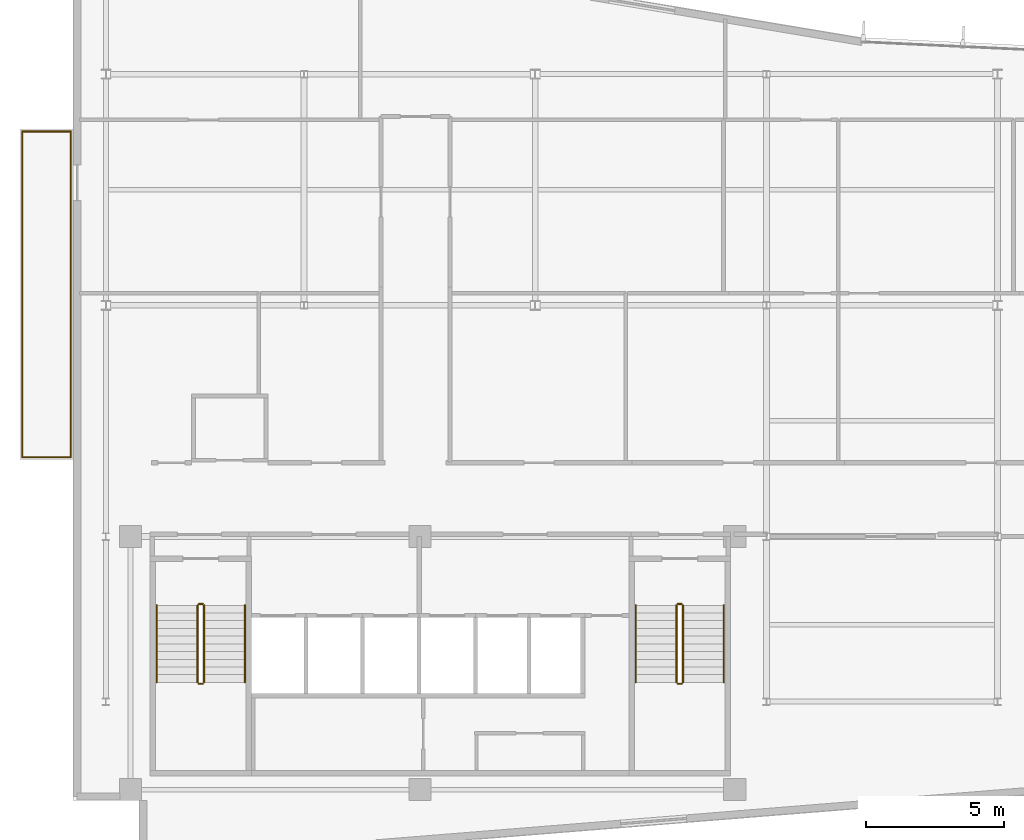
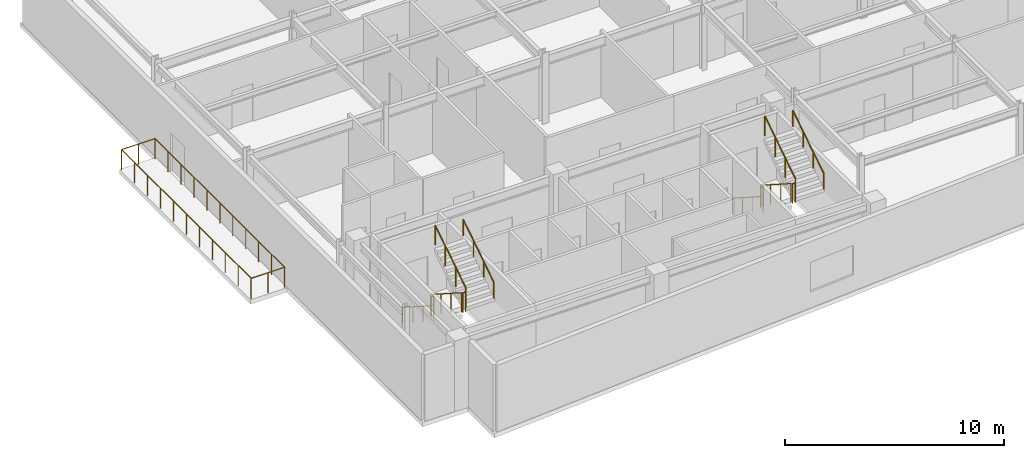
# One storey, part 14 of 16: 16 railings.
"""IFC4 building model written with IfcOpenShell, lengths in metres."""

from ifc_helpers import new_model, si_unit, direction, frame, origin, origin_2d, place, context, subcontext, project, spatial, circle, extrude, material, type_object, element, save


model = new_model("IFC4")

# Units and contexts
model_context = context("Model", 3, precision=1e-05, world=origin(), true_north=direction((0.0, 1.0)))
body_context = subcontext(model_context, "Body", "Model", "MODEL_VIEW")
ifc_project = project(units=[si_unit("LENGTHUNIT", "METRE"), si_unit("AREAUNIT", "SQUARE_METRE"), si_unit("VOLUMEUNIT", "CUBIC_METRE"), si_unit("PLANEANGLEUNIT", "RADIAN"), si_unit("MASSUNIT", "GRAM", prefix="KILO")], contexts=[model_context])

# Site, building, storey
site_placement = place(None, origin())
site = spatial("IfcSite", under=ifc_project, at=site_placement, CompositionType="ELEMENT")
building_placement = place(site_placement, origin())
building = spatial("IfcBuilding", under=site, at=building_placement, Name="Varnakote Quay Hospital", CompositionType="ELEMENT")
storey_placement = place(building_placement, frame((0.0, 0.0, 268.39990234375)))
storey = spatial("IfcBuildingStorey", under=building, at=storey_placement, Name="L66", CompositionType="ELEMENT", Elevation=268.39990234375)

# Railings
ifc_material_1 = material(Name="Anodised aluminium 6063-T6 Bronze", Category="aluminium")
railing_type_1 = type_object("IfcRailingType", Name="RLG-EXT-GUARD-1150", PredefinedType="GUARDRAIL", material=ifc_material_1)
railing_1_placement = place(storey_placement, frame((-0.075927734375, 14.8798828125, 0.0)))
element("IfcRailing", 1, at=railing_1_placement, inside=storey, type_object=railing_type_1, Name="L66 Zigzag Prow Healing Terrace Safety Guard", PredefinedType="GUARDRAIL", context=body_context, shape_type="SweptSolid", body=[
    extrude(circle(Radius=0.02392578125, at=origin_2d()), frame((0.0, 0.0, 1.1259765625), z_axis=(-1.0, 0.0, 0.0), x_axis=(0.0, -1.0, 0.0)), (0.0, 0.0, 1.0), 1.76416015625),
    extrude(circle(Radius=0.02099609375, at=origin_2d()), origin(), (0.0, 0.0, 1.0), 1.101806640625),
    extrude(circle(Radius=0.02099609375, at=origin_2d()), frame((-0.882080078125, 0.0, 0.0)), (0.0, 0.0, 1.0), 1.101806640625),
    extrude(circle(Radius=0.02099609375, at=origin_2d()), frame((-1.76416015625, 0.0, 0.0)), (0.0, 0.0, 1.0), 1.101806640625),
])
railing_2_placement = place(storey_placement, frame((-1.840087890625, 14.8798828125, 0.0)))
element("IfcRailing", 2, at=railing_2_placement, inside=storey, type_object=railing_type_1, Name="L66 Zigzag Prow Healing Terrace Safety Guard", PredefinedType="GUARDRAIL", context=body_context, shape_type="SweptSolid", body=[
    extrude(circle(Radius=0.02392578125, at=origin_2d()), frame((0.0, 0.0, 1.1259765625), z_axis=(0.0, 1.0, 0.0), x_axis=(-1.0, 0.0, 0.0)), (0.0, 0.0, 1.0), 11.840087890625),
    extrude(circle(Radius=0.02099609375, at=origin_2d()), origin(), (0.0, 0.0, 1.0), 1.101806640625),
    extrude(circle(Radius=0.02099609375, at=origin_2d()), frame((0.0, 1.18408203125, 0.0)), (0.0, 0.0, 1.0), 1.101806640625),
    extrude(circle(Radius=0.02099609375, at=origin_2d()), frame((0.0, 2.367919921875, 0.0)), (0.0, 0.0, 1.0), 1.101806640625),
    extrude(circle(Radius=0.02099609375, at=origin_2d()), frame((0.0, 3.552001953125, 0.0)), (0.0, 0.0, 1.0), 1.101806640625),
    extrude(circle(Radius=0.02099609375, at=origin_2d()), frame((0.0, 4.736083984375, 0.0)), (0.0, 0.0, 1.0), 1.101806640625),
    extrude(circle(Radius=0.02099609375, at=origin_2d()), frame((0.0, 5.919921875, 0.0)), (0.0, 0.0, 1.0), 1.101806640625),
    extrude(circle(Radius=0.02099609375, at=origin_2d()), frame((0.0, 7.10400390625, 0.0)), (0.0, 0.0, 1.0), 1.101806640625),
    extrude(circle(Radius=0.02099609375, at=origin_2d()), frame((0.0, 8.2880859375, 0.0)), (0.0, 0.0, 1.0), 1.101806640625),
    extrude(circle(Radius=0.02099609375, at=origin_2d()), frame((0.0, 9.47216796875, 0.0)), (0.0, 0.0, 1.0), 1.101806640625),
    extrude(circle(Radius=0.02099609375, at=origin_2d()), frame((0.0, 10.656005859375, 0.0)), (0.0, 0.0, 1.0), 1.101806640625),
    extrude(circle(Radius=0.02099609375, at=origin_2d()), frame((0.0, 11.840087890625, 0.0)), (0.0, 0.0, 1.0), 1.101806640625),
])
railing_3_placement = place(storey_placement, frame((-1.840087890625, 26.719970703125, 0.0)))
element("IfcRailing", 3, at=railing_3_placement, inside=storey, type_object=railing_type_1, Name="L66 Zigzag Prow Healing Terrace Safety Guard", PredefinedType="GUARDRAIL", context=body_context, shape_type="SweptSolid", body=[
    extrude(circle(Radius=0.02392578125, at=origin_2d()), frame((0.0, 0.0, 1.1259765625), z_axis=(1.0, 0.0, 0.0), x_axis=(0.0, 1.0, 0.0)), (0.0, 0.0, 1.0), 1.76416015625),
    extrude(circle(Radius=0.02099609375, at=origin_2d()), origin(), (0.0, 0.0, 1.0), 1.101806640625),
    extrude(circle(Radius=0.02099609375, at=origin_2d()), frame((0.882080078125, 0.0, 0.0)), (0.0, 0.0, 1.0), 1.101806640625),
    extrude(circle(Radius=0.02099609375, at=origin_2d()), frame((1.76416015625, 0.0, 0.0)), (0.0, 0.0, 1.0), 1.101806640625),
])
railing_4_placement = place(storey_placement, frame((-0.075927734375, 26.719970703125, 0.0)))
element("IfcRailing", 4, at=railing_4_placement, inside=storey, type_object=railing_type_1, Name="L66 Zigzag Prow Healing Terrace Safety Guard", PredefinedType="GUARDRAIL", context=body_context, shape_type="SweptSolid", body=[
    extrude(circle(Radius=0.02392578125, at=origin_2d()), frame((0.0, 0.0, 1.1259765625), z_axis=(0.0, -1.0, 0.0), x_axis=(1.0, 0.0, 0.0)), (0.0, 0.0, 1.0), 11.840087890625),
    extrude(circle(Radius=0.02099609375, at=origin_2d()), origin(), (0.0, 0.0, 1.0), 1.101806640625),
    extrude(circle(Radius=0.02099609375, at=origin_2d()), frame((0.0, -1.18408203125, 0.0)), (0.0, 0.0, 1.0), 1.101806640625),
    extrude(circle(Radius=0.02099609375, at=origin_2d()), frame((0.0, -2.367919921875, 0.0)), (0.0, 0.0, 1.0), 1.101806640625),
    extrude(circle(Radius=0.02099609375, at=origin_2d()), frame((0.0, -3.552001953125, 0.0)), (0.0, 0.0, 1.0), 1.101806640625),
    extrude(circle(Radius=0.02099609375, at=origin_2d()), frame((0.0, -4.736083984375, 0.0)), (0.0, 0.0, 1.0), 1.101806640625),
    extrude(circle(Radius=0.02099609375, at=origin_2d()), frame((0.0, -5.919921875, 0.0)), (0.0, 0.0, 1.0), 1.101806640625),
    extrude(circle(Radius=0.02099609375, at=origin_2d()), frame((0.0, -7.10400390625, 0.0)), (0.0, 0.0, 1.0), 1.101806640625),
    extrude(circle(Radius=0.02099609375, at=origin_2d()), frame((0.0, -8.2880859375, 0.0)), (0.0, 0.0, 1.0), 1.101806640625),
    extrude(circle(Radius=0.02099609375, at=origin_2d()), frame((0.0, -9.47216796875, 0.0)), (0.0, 0.0, 1.0), 1.101806640625),
    extrude(circle(Radius=0.02099609375, at=origin_2d()), frame((0.0, -10.656005859375, 0.0)), (0.0, 0.0, 1.0), 1.101806640625),
    extrude(circle(Radius=0.02099609375, at=origin_2d()), frame((0.0, -11.840087890625, 0.0)), (0.0, 0.0, 1.0), 1.101806640625),
])
ifc_material_2 = material(Name="Brushed stainless steel balustrade", Category="steel")
railing_type_2 = type_object("IfcRailingType", Name="RLG-STAIR-GUARD-1150", PredefinedType="GUARDRAIL", material=ifc_material_2)
railing_5_placement = place(storey_placement, frame((4.530029296875, 9.5, 0.1796875)))
element("IfcRailing", 5, at=railing_5_placement, inside=storey, type_object=railing_type_2, Name="L66 ST-01 stair guard 1", PredefinedType="GUARDRAIL", context=body_context, shape_type="SweptSolid", body=[
    extrude(circle(Radius=0.02392578125, at=origin_2d()), frame((0.0, 0.0, 1.076171875), z_axis=(0.0, -0.841809871826, 0.539774156196), x_axis=(1.0, 0.0, 0.0)), (0.0, 0.0, 1.0), 3.326171875),
    extrude(circle(Radius=0.02099609375, at=origin_2d()), origin(), (0.0, 0.0, 1.0), 1.052001953125),
    extrude(circle(Radius=0.02099609375, at=origin_2d()), frame((0.0, -0.933349609375, 0.598388671875)), (0.0, 0.0, 1.0), 1.052001953125),
    extrude(circle(Radius=0.02099609375, at=origin_2d()), frame((0.0, -1.86669921875, 1.197021484375)), (0.0, 0.0, 1.0), 1.052001953125),
    extrude(circle(Radius=0.02099609375, at=origin_2d()), frame((0.0, -2.800048828125, 1.79541015625)), (0.0, 0.0, 1.0), 1.052001953125),
])
railing_6_placement = place(storey_placement, frame((4.580078125, 6.64990234375, 1.97509765625)))
element("IfcRailing", 6, at=railing_6_placement, inside=storey, type_object=railing_type_2, Name="L66 ST-01 stair guard 2", PredefinedType="GUARDRAIL", context=body_context, shape_type="SweptSolid", body=[
    extrude(circle(Radius=0.02392578125, at=origin_2d()), frame((0.0, 0.0, 1.076171875), z_axis=(1.0, 0.0, 0.0), x_axis=(0.0, 1.0, 0.0)), (0.0, 0.0, 1.0), 0.139892578125),
    extrude(circle(Radius=0.02099609375, at=origin_2d()), origin(), (0.0, 0.0, 1.0), 1.052001953125),
    extrude(circle(Radius=0.02099609375, at=origin_2d()), frame((0.139892578125, 0.0, 0.0)), (0.0, 0.0, 1.0), 1.052001953125),
])
railing_7_placement = place(storey_placement, frame((4.77001953125, 6.699951171875, 2.154541015625)))
element("IfcRailing", 7, at=railing_7_placement, inside=storey, type_object=railing_type_2, Name="L66 ST-01 stair guard 3", PredefinedType="GUARDRAIL", context=body_context, shape_type="SweptSolid", body=[
    extrude(circle(Radius=0.02392578125, at=origin_2d()), frame((0.0, 0.0, 1.076171875), z_axis=(0.0, 0.841776520102, 0.539826166654), x_axis=(-1.0, 0.0, 0.0)), (0.0, 0.0, 1.0), 3.326416015625),
    extrude(circle(Radius=0.02099609375, at=origin_2d()), origin(), (0.0, 0.0, 1.0), 1.052001953125),
    extrude(circle(Radius=0.02099609375, at=origin_2d()), frame((0.0, 0.933349609375, 0.5986328125)), (0.0, 0.0, 1.0), 1.052001953125),
    extrude(circle(Radius=0.02099609375, at=origin_2d()), frame((0.0, 1.86669921875, 1.197021484375)), (0.0, 0.0, 1.0), 1.052001953125),
    extrude(circle(Radius=0.02099609375, at=origin_2d()), frame((0.0, 2.800048828125, 1.795654296875)), (0.0, 0.0, 1.0), 1.052001953125),
])
railing_8_placement = place(storey_placement, frame((4.580078125, 9.550048828125, 0.0)))
element("IfcRailing", 8, at=railing_8_placement, inside=storey, type_object=railing_type_2, Name="L66 ST-01 stair guard 4", PredefinedType="GUARDRAIL", context=body_context, shape_type="SweptSolid", body=[
    extrude(circle(Radius=0.02392578125, at=origin_2d()), frame((0.0, 0.0, 1.076171875), z_axis=(1.0, 0.0, 0.0), x_axis=(0.0, 1.0, 0.0)), (0.0, 0.0, 1.0), 0.139892578125),
    extrude(circle(Radius=0.02099609375, at=origin_2d()), origin(), (0.0, 0.0, 1.0), 1.052001953125),
    extrude(circle(Radius=0.02099609375, at=origin_2d()), frame((0.139892578125, 0.0, 0.0)), (0.0, 0.0, 1.0), 1.052001953125),
])
railing_9_placement = place(storey_placement, frame((21.929931640625, 9.5, 0.1796875)))
element("IfcRailing", 9, at=railing_9_placement, inside=storey, type_object=railing_type_2, Name="L66 ST-02 stair guard 1", PredefinedType="GUARDRAIL", context=body_context, shape_type="SweptSolid", body=[
    extrude(circle(Radius=0.02392578125, at=origin_2d()), frame((0.0, 0.0, 1.076171875), z_axis=(0.0, -0.841809871826, 0.539774156196), x_axis=(1.0, 0.0, 0.0)), (0.0, 0.0, 1.0), 3.326171875),
    extrude(circle(Radius=0.02099609375, at=origin_2d()), origin(), (0.0, 0.0, 1.0), 1.052001953125),
    extrude(circle(Radius=0.02099609375, at=origin_2d()), frame((0.0, -0.933349609375, 0.598388671875)), (0.0, 0.0, 1.0), 1.052001953125),
    extrude(circle(Radius=0.02099609375, at=origin_2d()), frame((0.0, -1.86669921875, 1.197021484375)), (0.0, 0.0, 1.0), 1.052001953125),
    extrude(circle(Radius=0.02099609375, at=origin_2d()), frame((0.0, -2.800048828125, 1.79541015625)), (0.0, 0.0, 1.0), 1.052001953125),
])
railing_10_placement = place(storey_placement, frame((21.97998046875, 6.64990234375, 1.97509765625)))
element("IfcRailing", 10, at=railing_10_placement, inside=storey, type_object=railing_type_2, Name="L66 ST-02 stair guard 2", PredefinedType="GUARDRAIL", context=body_context, shape_type="SweptSolid", body=[
    extrude(circle(Radius=0.02392578125, at=origin_2d()), frame((0.0, 0.0, 1.076171875), z_axis=(1.0, 0.0, 0.0), x_axis=(0.0, 1.0, 0.0)), (0.0, 0.0, 1.0), 0.14013671875),
    extrude(circle(Radius=0.02099609375, at=origin_2d()), origin(), (0.0, 0.0, 1.0), 1.052001953125),
    extrude(circle(Radius=0.02099609375, at=origin_2d()), frame((0.14013671875, 0.0, 0.0)), (0.0, 0.0, 1.0), 1.052001953125),
])
railing_11_placement = place(storey_placement, frame((22.169921875, 6.699951171875, 2.154541015625)))
element("IfcRailing", 11, at=railing_11_placement, inside=storey, type_object=railing_type_2, Name="L66 ST-02 stair guard 3", PredefinedType="GUARDRAIL", context=body_context, shape_type="SweptSolid", body=[
    extrude(circle(Radius=0.02392578125, at=origin_2d()), frame((0.0, 0.0, 1.076171875), z_axis=(0.0, 0.841776520102, 0.539826166654), x_axis=(-1.0, 0.0, 0.0)), (0.0, 0.0, 1.0), 3.326416015625),
    extrude(circle(Radius=0.02099609375, at=origin_2d()), origin(), (0.0, 0.0, 1.0), 1.052001953125),
    extrude(circle(Radius=0.02099609375, at=origin_2d()), frame((0.0, 0.933349609375, 0.5986328125)), (0.0, 0.0, 1.0), 1.052001953125),
    extrude(circle(Radius=0.02099609375, at=origin_2d()), frame((0.0, 1.86669921875, 1.197021484375)), (0.0, 0.0, 1.0), 1.052001953125),
    extrude(circle(Radius=0.02099609375, at=origin_2d()), frame((0.0, 2.800048828125, 1.795654296875)), (0.0, 0.0, 1.0), 1.052001953125),
])
railing_12_placement = place(storey_placement, frame((21.97998046875, 9.550048828125, 0.0)))
element("IfcRailing", 12, at=railing_12_placement, inside=storey, type_object=railing_type_2, Name="L66 ST-02 stair guard 4", PredefinedType="GUARDRAIL", context=body_context, shape_type="SweptSolid", body=[
    extrude(circle(Radius=0.02392578125, at=origin_2d()), frame((0.0, 0.0, 1.076171875), z_axis=(1.0, 0.0, 0.0), x_axis=(0.0, 1.0, 0.0)), (0.0, 0.0, 1.0), 0.14013671875),
    extrude(circle(Radius=0.02099609375, at=origin_2d()), origin(), (0.0, 0.0, 1.0), 1.052001953125),
    extrude(circle(Radius=0.02099609375, at=origin_2d()), frame((0.14013671875, 0.0, 0.0)), (0.0, 0.0, 1.0), 1.052001953125),
])
ifc_material_3 = material(Name="Brushed stainless steel handrail", Category="steel")
railing_type_3 = type_object("IfcRailingType", Name="RLG-STAIR-HND-920", PredefinedType="HANDRAIL", material=ifc_material_3)
railing_13_placement = place(storey_placement, frame((3.050048828125, 9.5, 0.1796875)))
element("IfcRailing", 13, at=railing_13_placement, inside=storey, type_object=railing_type_3, Name="L66 ST-01 stair handrail 1", PredefinedType="HANDRAIL", context=body_context, shape_type="SweptSolid", body=[
    extrude(circle(Radius=0.02392578125, at=origin_2d()), frame((0.0, 0.0, 0.8759765625), z_axis=(0.0, -0.841809871826, 0.539774156196), x_axis=(1.0, 0.0, 0.0)), (0.0, 0.0, 1.0), 3.326171875),
    extrude(circle(Radius=0.02099609375, at=origin_2d()), origin(), (0.0, 0.0, 1.0), 0.851806640625),
    extrude(circle(Radius=0.02099609375, at=origin_2d()), frame((0.0, -0.933349609375, 0.598388671875)), (0.0, 0.0, 1.0), 0.851806640625),
    extrude(circle(Radius=0.02099609375, at=origin_2d()), frame((0.0, -1.86669921875, 1.197021484375)), (0.0, 0.0, 1.0), 0.851806640625),
    extrude(circle(Radius=0.02099609375, at=origin_2d()), frame((0.0, -2.800048828125, 1.79541015625)), (0.0, 0.0, 1.0), 0.851806640625),
])
railing_14_placement = place(storey_placement, frame((6.25, 6.699951171875, 2.154541015625)))
element("IfcRailing", 14, at=railing_14_placement, inside=storey, type_object=railing_type_3, Name="L66 ST-01 stair handrail 2", PredefinedType="HANDRAIL", context=body_context, shape_type="SweptSolid", body=[
    extrude(circle(Radius=0.02392578125, at=origin_2d()), frame((0.0, 0.0, 0.8759765625), z_axis=(0.0, 0.841776520102, 0.539826166654), x_axis=(-1.0, 0.0, 0.0)), (0.0, 0.0, 1.0), 3.326416015625),
    extrude(circle(Radius=0.02099609375, at=origin_2d()), origin(), (0.0, 0.0, 1.0), 0.851806640625),
    extrude(circle(Radius=0.02099609375, at=origin_2d()), frame((0.0, 0.933349609375, 0.5986328125)), (0.0, 0.0, 1.0), 0.851806640625),
    extrude(circle(Radius=0.02099609375, at=origin_2d()), frame((0.0, 1.86669921875, 1.197021484375)), (0.0, 0.0, 1.0), 0.851806640625),
    extrude(circle(Radius=0.02099609375, at=origin_2d()), frame((0.0, 2.800048828125, 1.795654296875)), (0.0, 0.0, 1.0), 0.851806640625),
])
railing_15_placement = place(storey_placement, frame((20.449951171875, 9.5, 0.1796875)))
element("IfcRailing", 15, at=railing_15_placement, inside=storey, type_object=railing_type_3, Name="L66 ST-02 stair handrail 1", PredefinedType="HANDRAIL", context=body_context, shape_type="SweptSolid", body=[
    extrude(circle(Radius=0.02392578125, at=origin_2d()), frame((0.0, 0.0, 0.8759765625), z_axis=(0.0, -0.841809871826, 0.539774156196), x_axis=(1.0, 0.0, 0.0)), (0.0, 0.0, 1.0), 3.326171875),
    extrude(circle(Radius=0.02099609375, at=origin_2d()), origin(), (0.0, 0.0, 1.0), 0.851806640625),
    extrude(circle(Radius=0.02099609375, at=origin_2d()), frame((0.0, -0.933349609375, 0.598388671875)), (0.0, 0.0, 1.0), 0.851806640625),
    extrude(circle(Radius=0.02099609375, at=origin_2d()), frame((0.0, -1.86669921875, 1.197021484375)), (0.0, 0.0, 1.0), 0.851806640625),
    extrude(circle(Radius=0.02099609375, at=origin_2d()), frame((0.0, -2.800048828125, 1.79541015625)), (0.0, 0.0, 1.0), 0.851806640625),
])
railing_16_placement = place(storey_placement, frame((23.64990234375, 6.699951171875, 2.154541015625)))
element("IfcRailing", 16, at=railing_16_placement, inside=storey, type_object=railing_type_3, Name="L66 ST-02 stair handrail 2", PredefinedType="HANDRAIL", context=body_context, shape_type="SweptSolid", body=[
    extrude(circle(Radius=0.02392578125, at=origin_2d()), frame((0.0, 0.0, 0.8759765625), z_axis=(0.0, 0.841776520102, 0.539826166654), x_axis=(-1.0, 0.0, 0.0)), (0.0, 0.0, 1.0), 3.326416015625),
    extrude(circle(Radius=0.02099609375, at=origin_2d()), origin(), (0.0, 0.0, 1.0), 0.851806640625),
    extrude(circle(Radius=0.02099609375, at=origin_2d()), frame((0.0, 0.933349609375, 0.5986328125)), (0.0, 0.0, 1.0), 0.851806640625),
    extrude(circle(Radius=0.02099609375, at=origin_2d()), frame((0.0, 1.86669921875, 1.197021484375)), (0.0, 0.0, 1.0), 0.851806640625),
    extrude(circle(Radius=0.02099609375, at=origin_2d()), frame((0.0, 2.800048828125, 1.795654296875)), (0.0, 0.0, 1.0), 0.851806640625),
])

save(model, "model.ifc")
